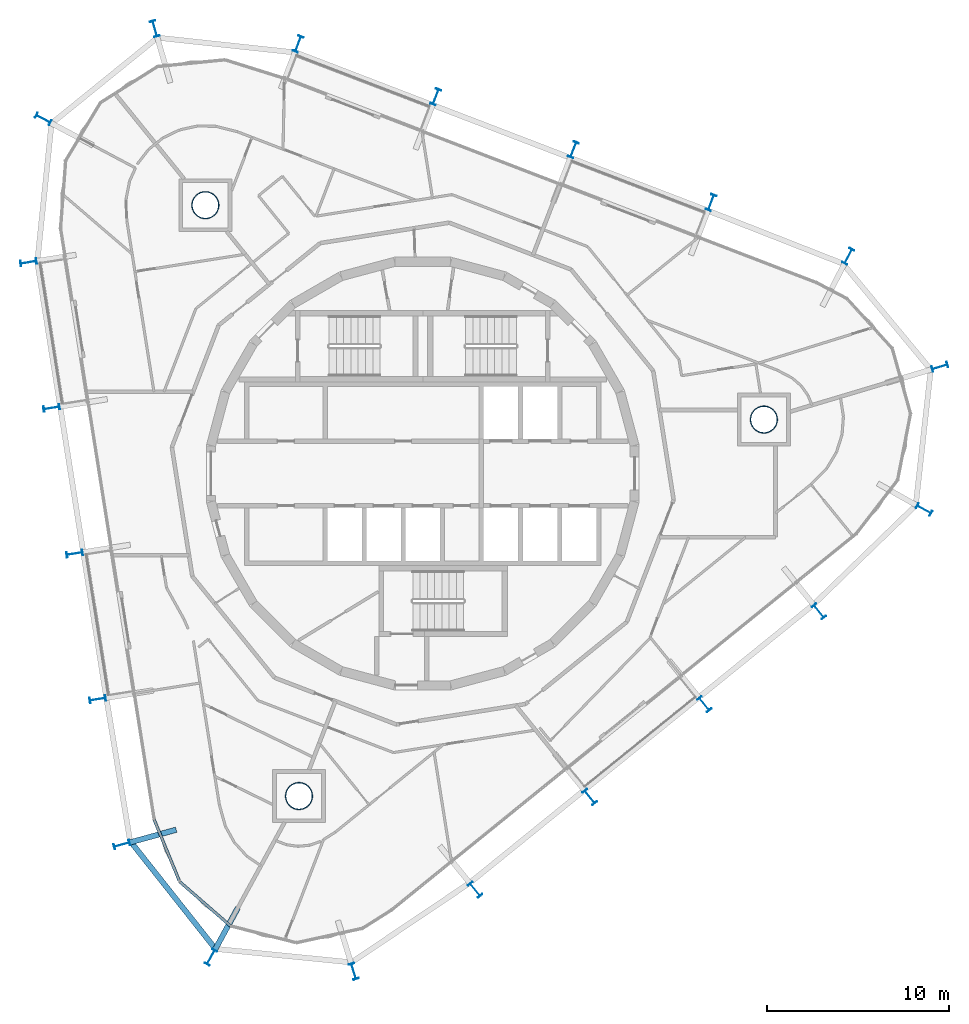
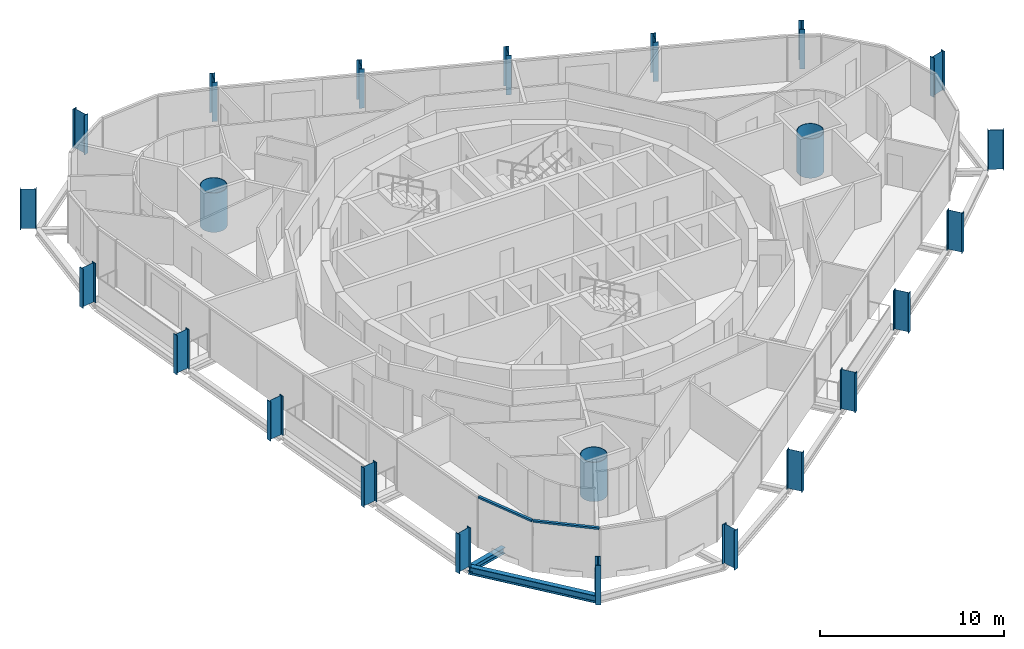
# One storey, part 1 of 17: 23 columns, 3 beams, 2 members, 1 element without a shape of its own.
"""IFC4 building model written with IfcOpenShell, lengths in metres."""

from ifc_helpers import new_model, si_unit, direction, frame, origin, origin_2d, place, context, subcontext, project, spatial, rectangle, hollow_circle, i_section, extrude, material, layer, layer_set, material_profile, profile_set, type_object, element, aggregate, save


model = new_model("IFC4")

# Units and contexts
model_context = context("Model", 3, precision=1e-05, world=origin(), true_north=direction((0.0, 1.0)))
body_context = subcontext(model_context, "Body", "Model", "MODEL_VIEW")
ifc_project = project(units=[si_unit("LENGTHUNIT", "METRE"), si_unit("AREAUNIT", "SQUARE_METRE"), si_unit("VOLUMEUNIT", "CUBIC_METRE"), si_unit("PLANEANGLEUNIT", "RADIAN"), si_unit("MASSUNIT", "GRAM", prefix="KILO")], contexts=[model_context])

# Site, building, storey
site_placement = place(None, origin())
site = spatial("IfcSite", under=ifc_project, at=site_placement, CompositionType="ELEMENT")
building_placement = place(site_placement, origin())
building = spatial("IfcBuilding", under=site, at=building_placement, Name="Spindle Arch Residences", CompositionType="ELEMENT")
storey_placement = place(building_placement, frame((0.0, 0.0, 287.89990234375)))
storey = spatial("IfcBuildingStorey", under=building, at=storey_placement, Name="L74", CompositionType="ELEMENT", Elevation=287.89990234375)

# Columns
ifc_material_1 = material(Name="Steel S460ML, intumescent coating R 240", Category="steel")
ifc_material_profile_1 = material_profile(ifc_material_1, i_section(OverallWidth=0.300048828125, OverallDepth=0.89990234375, WebThickness=0.0185546875, FlangeThickness=0.034912109375, FilletRadius=0.030029296875, at=origin_2d()), Name="HEB 900")
ifc_profile_set_1 = profile_set([ifc_material_profile_1], Name="Steel S460ML, intumescent coating R 240")
column_type_1 = type_object("IfcColumnType", Name="Exoskeleton post HEB 900", PredefinedType="COLUMN", material=ifc_profile_set_1)
for number, where, z_axis, x_axis, name in (
    (1, (15.48291015625, -12.67822265625, -0.3798828125), (0.0, 0.0, 1.0), (-0.777146167973, -0.629320136024, 0.0), "Exoskeleton post 1"),
    (2, (21.78369140625, -7.575927734375, -0.3798828125), (0.0, 0.0, 1.0), (-0.777146167973, -0.629320136024, 0.0), "Exoskeleton post 2"),
    (3, (27.56494140625, -1.975830078125, -0.3798828125), (0.0, 0.0, 1.0), (-0.489802299008, -0.871833532211, 0.0), "Exoskeleton post 3"),
    (4, (28.43505859375, 5.86767578125, -0.3798828125), (0.0, 0.0, 1.0), (0.286784074183, -0.957995247794, 0.0), "Exoskeleton post 4"),
    (5, (23.398193359375, 11.94287109375, -0.3798828125), (0.0, 0.0, 1.0), (0.888285893192, -0.45929094478, 0.0), "Exoskeleton post 5"),
    (6, (15.853515625, 14.9052734375, -0.3798828125), (0.0, 0.0, 1.0), (0.933580354843, -0.35836813621, 0.0), "Exoskeleton post 6"),
    (7, (8.2841796875, 17.810791015625, -0.3798828125), (0.0, 0.0, 1.0), (0.933580354843, -0.35836813621, 0.0), "Exoskeleton post 7"),
    (8, (0.715087890625, 20.71630859375, -0.3798828125), (0.0, 0.0, 1.0), (0.933580354843, -0.35836813621, 0.0), "Exoskeleton post 8"),
    (9, (-6.85400390625, 23.621826171875, -0.3798828125), (0.0, 0.0, 1.0), (0.933580354843, -0.35836813621, 0.0), "Exoskeleton post 9"),
    (10, (-14.7373046875, 24.468994140625, -0.3798828125), (0.0, 0.0, 1.0), (0.961245152333, 0.275695043693, 0.0), "Exoskeleton post 10"),
    (11, (-20.870361328125, 19.502685546875, -0.3798828125), (0.0, 0.0, 1.0), (0.469525073676, 0.882919138534, 0.0), "Exoskeleton post 11"),
    (12, (-21.6806640625, 11.615234375, -0.3798828125), (0.0, 0.0, 1.0), (-0.156434064006, 0.987688404113, 0.0), "Exoskeleton post 12"),
    (13, (-20.412353515625, 3.607666015625, -0.3798828125), (0.0, 0.0, 1.0), (-0.156434064006, 0.987688404113, 0.0), "Exoskeleton post 13"),
    (14, (-19.143798828125, -4.400146484375, -0.3798828125), (0.0, 0.0, 1.0), (-0.156434064006, 0.987688404113, 0.0), "Exoskeleton post 14"),
    (15, (-17.87548828125, -12.407958984375, -0.3798828125), (0.0, 0.0, 1.0), (-0.156434064006, 0.987688404113, 0.0), "Exoskeleton post 15"),
    (16, (-16.546630859375, -20.40380859375, -0.3798828125), (0.0, 0.0, 1.0), (-0.264568938302, 0.964366775084, 0.0), "Exoskeleton post 16"),
    (17, (-11.651611328125, -26.59375, -0.3798828125), (0.0, 0.0, 1.0), (-0.877434810632, 0.479695896472, 0.0), "Exoskeleton post 17"),
    (18, (-3.79833984375, -27.373291015625, -0.3798828125), (0.0, 0.0, 1.0), (-0.95461733225, -0.297835103654, 0.0), "Exoskeleton post 18"),
    (19, (2.88134765625, -22.8828125, -0.3798828125), (0.0, 0.0, 1.0), (-0.777146167973, -0.629320136024, 0.0), "Exoskeleton post 19"),
    (20, (9.18212890625, -17.780517578125, -0.3798828125), (0.0, 0.0, 1.0), (-0.777146167973, -0.629320136024, 0.0), "Exoskeleton post 20"),
):
    element("IfcColumn", number, at=place(storey_placement, frame(where, z_axis=z_axis, x_axis=x_axis)), inside=storey, type_object=column_type_1, Name=name, PredefinedType="COLUMN", context=body_context, shape_type="SweptSolid", body=[
        extrude(i_section(OverallWidth=0.300048828125, OverallDepth=0.89990234375, WebThickness=0.0185546875, FlangeThickness=0.034912109375, FilletRadius=0.030029296875, at=origin_2d()), origin(), (0.0, 0.0, 1.0), 2.615966796875),
    ])
ifc_material_2 = material(Name="Concrete C50/60 filled steel tube S460ML, intumescent coating R 240", Category="concrete")
ifc_material_profile_2 = material_profile(ifc_material_2, hollow_circle(Radius=0.75, WallThickness=0.034912109375, at=origin_2d()), Name="CFT D1500x35")
ifc_profile_set_2 = profile_set([ifc_material_profile_2], Name="Concrete C50/60 filled steel tube S460ML, intumescent coating R 240")
column_type_2 = type_object("IfcColumnType", Name="Mega-column CFT D1500x35", PredefinedType="COLUMN", material=ifc_profile_set_2)
for number, where, z_axis, x_axis, name in (
    (21, (18.759521484375, 2.97119140625, -0.3798828125), (0.0, 0.0, 1.0), (1.0, 0.0, 0.0), "Mega-column 1"),
    (22, (-11.952880859375, 14.760498046875, -0.3798828125), (0.0, 0.0, 1.0), (1.0, 0.0, 0.0), "Mega-column 2"),
    (23, (-6.806640625, -17.731689453125, -0.3798828125), (0.0, 0.0, 1.0), (1.0, 0.0, 0.0), "Mega-column 3"),
):
    element("IfcColumn", number, at=place(storey_placement, frame(where, z_axis=z_axis, x_axis=x_axis)), inside=storey, type_object=column_type_2, Name=name, PredefinedType="COLUMN", context=body_context, shape_type="SweptSolid", body=[
        extrude(hollow_circle(Radius=0.75, WallThickness=0.034912109375, at=origin_2d()), origin(), (0.0, 0.0, 1.0), 2.615966796875),
    ])

# Curtain wall, members
ifc_material_3 = material(Name="Aluminium bronze unitised frame with tinted glass", Category="aluminium")
ifc_layer = layer(ifc_material_3, 0.159912109375)
ifc_layer_set = layer_set([ifc_layer], Name="CW-D corner wall on the fillet arcs")
curtain_wall_type = type_object("IfcCurtainWallType", Name="CW-D corner wall on the fillet arcs", PredefinedType="NOTDEFINED", material=ifc_layer_set)
curtain_wall_placement = place(storey_placement, origin())
curtain_wall = element("IfcCurtainWall", 24, at=curtain_wall_placement, inside=storey, type_object=curtain_wall_type, Name="CW-D L74 run 5", PredefinedType="NOTDEFINED")
ifc_material_4 = material(Name="Aluminium bronze anodised transom", Category="aluminium")
ifc_material_profile_3 = material_profile(ifc_material_4, rectangle(XDim=0.159912109375, YDim=0.1201171875, at=origin_2d()), Name="TR 120x160")
ifc_profile_set_3 = profile_set([ifc_material_profile_3], Name="Aluminium bronze anodised transom")
member_type = type_object("IfcMemberType", Name="Bronze transom 120x160", PredefinedType="USERDEFINED", material=ifc_profile_set_3)
member_1_placement = place(storey_placement, frame((-14.775634765625, -19.0234375, 2.989990234375), z_axis=(0.379996173922, -0.924988058196, 0.0), x_axis=(0.924988058196, 0.379996173922, 0.0)))
member_1 = element("IfcMember", 25, at=member_1_placement, type_object=member_type, Name="CW-D transom 01", ObjectType="TRANSOM", PredefinedType="USERDEFINED", context=body_context, shape_type="SweptSolid", body=[
    extrude(rectangle(XDim=0.159912109375, YDim=0.1201171875, at=origin_2d()), origin(), (0.0, 0.0, 1.0), 3.666748046875),
])
member_2_placement = place(storey_placement, frame((-13.348388671875, -22.462646484375, 2.989990234375), z_axis=(0.754721618998, -0.656045179708, 0.0), x_axis=(0.656045179708, 0.754721618998, 0.0)))
member_2 = element("IfcMember", 26, at=member_2_placement, type_object=member_type, Name="CW-D transom 02", ObjectType="TRANSOM", PredefinedType="USERDEFINED", context=body_context, shape_type="SweptSolid", body=[
    extrude(rectangle(XDim=0.159912109375, YDim=0.1201171875, at=origin_2d()), origin(), (0.0, 0.0, 1.0), 3.666748046875),
])
aggregate(curtain_wall, [member_1, member_2])

# Beams
ifc_material_5 = material(Name="Steel S460ML, intumescent coating R 120", Category="steel")
ifc_material_profile_4 = material_profile(ifc_material_5, i_section(OverallWidth=0.300048828125, OverallDepth=0.5, WebThickness=0.014404296875, FlangeThickness=0.028076171875, FilletRadius=0.027099609375, at=origin_2d()), Name="HEB 500")
ifc_profile_set_4 = profile_set([ifc_material_profile_4], Name="Steel S460ML, intumescent coating R 120")
beam_type_1 = type_object("IfcBeamType", Name="Exoskeleton edge beam HEB 500", PredefinedType="BEAM", material=ifc_profile_set_4)
beam_1_placement = place(storey_placement, frame((-16.089599609375, -20.2080078125, -0.6298828125), z_axis=(0.62029234527, -0.784370707255, 0.0), x_axis=(0.784370707255, 0.62029234527, 0.0)))
element("IfcBeam", 27, at=beam_1_placement, inside=storey, type_object=beam_type_1, Name="Exoskeleton edge beam 16", PredefinedType="BEAM", context=body_context, shape_type="SweptSolid", body=[
    extrude(i_section(OverallWidth=0.300048828125, OverallDepth=0.5, WebThickness=0.014404296875, FlangeThickness=0.028076171875, FilletRadius=0.027099609375, at=origin_2d()), origin(), (0.0, 0.0, 1.0), 7.631591796875),
])
ifc_material_6 = material(Name="Steel S460ML, intumescent coating R 120", Category="steel")
ifc_material_profile_5 = material_profile(ifc_material_6, i_section(OverallWidth=0.300048828125, OverallDepth=0.389892578125, WebThickness=0.010986328125, FlangeThickness=0.01904296875, FilletRadius=0.027099609375, at=origin_2d()), Name="HEA 400")
ifc_profile_set_5 = profile_set([ifc_material_profile_5], Name="Steel S460ML, intumescent coating R 120")
beam_type_2 = type_object("IfcBeamType", Name="Floor outrigger HEA 400", PredefinedType="BEAM", material=ifc_profile_set_5)
beam_2_placement = place(storey_placement, frame((-16.11279296875, -20.28466796875, -0.574951171875), z_axis=(0.964363028022, 0.264582596148, 0.0), x_axis=(-0.264582596148, 0.964363028022, 0.0)))
element("IfcBeam", 28, at=beam_2_placement, inside=storey, type_object=beam_type_2, Name="Floor outrigger 16", PredefinedType="BEAM", context=body_context, shape_type="SweptSolid", body=[
    extrude(i_section(OverallWidth=0.300048828125, OverallDepth=0.389892578125, WebThickness=0.010986328125, FlangeThickness=0.01904296875, FilletRadius=0.027099609375, at=origin_2d()), origin(), (0.0, 0.0, 1.0), 2.650146484375),
])
beam_3_placement = place(storey_placement, frame((-11.435546875, -26.198974609375, -0.574951171875), z_axis=(0.479710393666, 0.877426884822, 0.0), x_axis=(-0.877426884822, 0.479710393666, 0.0)))
element("IfcBeam", 29, at=beam_3_placement, inside=storey, type_object=beam_type_2, Name="Floor outrigger 17", PredefinedType="BEAM", context=body_context, shape_type="SweptSolid", body=[
    extrude(i_section(OverallWidth=0.300048828125, OverallDepth=0.389892578125, WebThickness=0.010986328125, FlangeThickness=0.01904296875, FilletRadius=0.027099609375, at=origin_2d()), origin(), (0.0, 0.0, 1.0), 2.64990234375),
])

save(model, "model.ifc")
